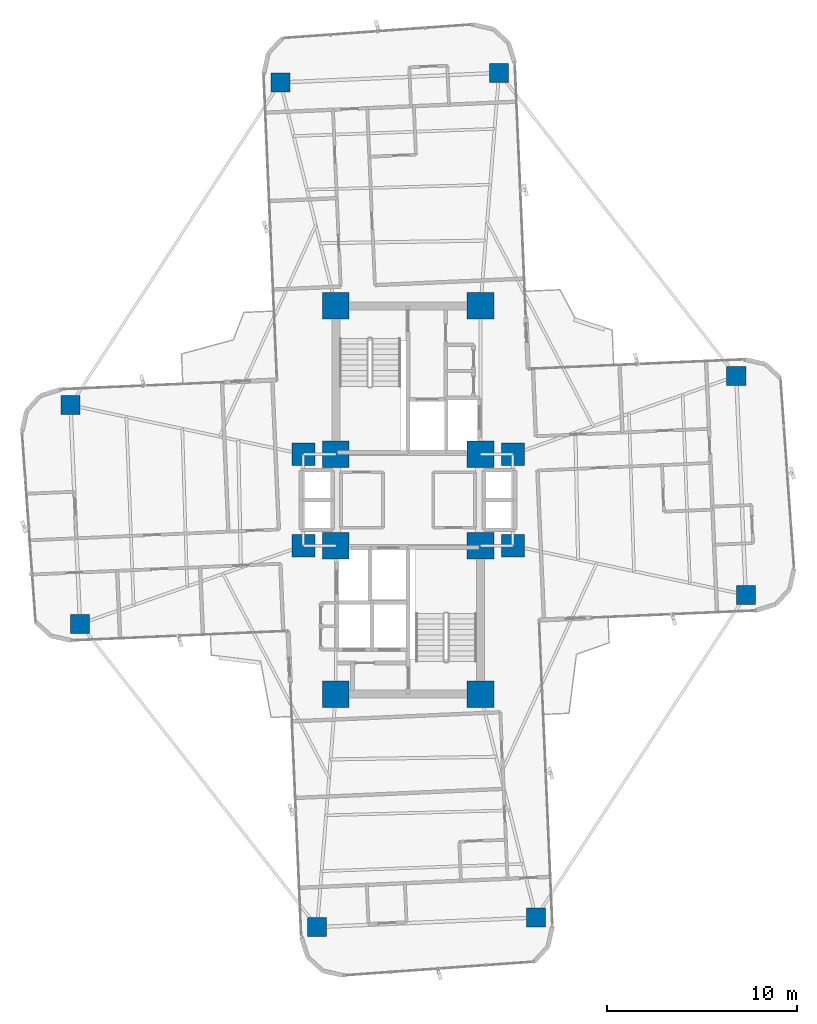
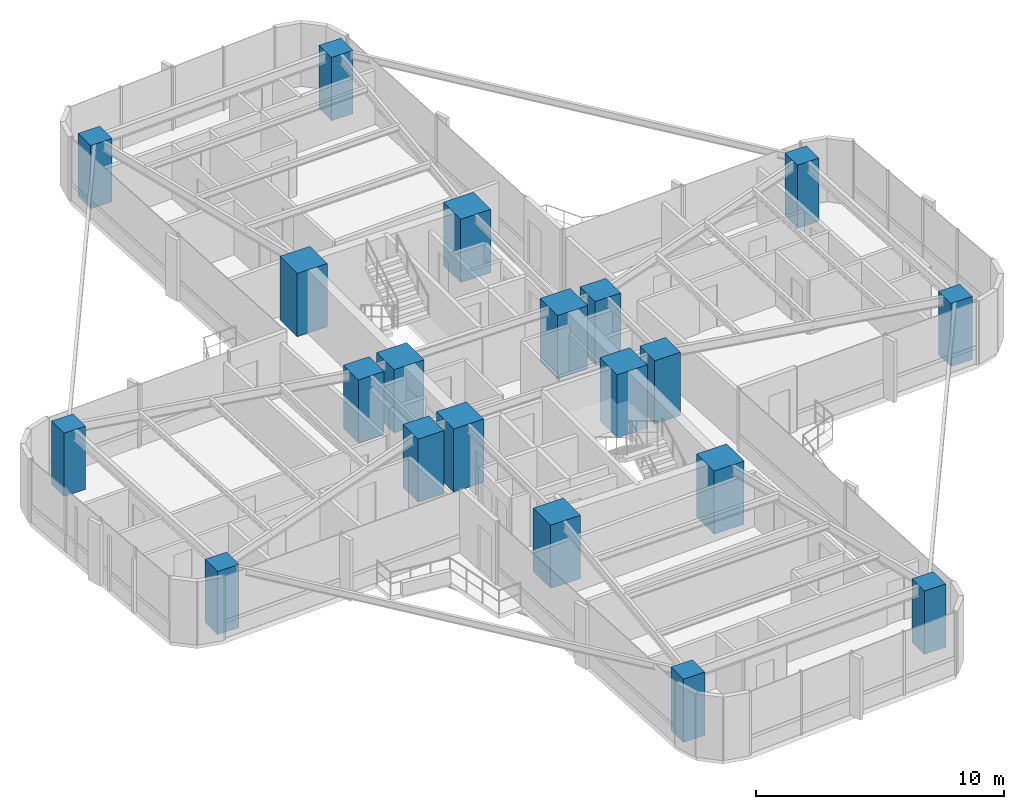
# One storey, part 1 of 27: 20 columns.
"""IFC4 building model written with IfcOpenShell, lengths in metres."""

from ifc_helpers import new_model, si_unit, direction, frame, origin, origin_2d, place, context, subcontext, project, spatial, rectangle, extrude, source, transform, mapped, material, material_profile, profile_set, type_object, element, save


model = new_model("IFC4")

# Units and contexts
model_context = context("Model", 3, precision=1e-05, world=origin(), true_north=direction((0.0, 1.0)))
body_context = subcontext(model_context, "Body", "Model", "MODEL_VIEW")
ifc_project = project(units=[si_unit("LENGTHUNIT", "METRE"), si_unit("AREAUNIT", "SQUARE_METRE"), si_unit("VOLUMEUNIT", "CUBIC_METRE"), si_unit("PLANEANGLEUNIT", "RADIAN"), si_unit("MASSUNIT", "GRAM", prefix="KILO")], contexts=[model_context])

# Site, building, storey
site_placement = place(None, origin())
site = spatial("IfcSite", under=ifc_project, at=site_placement, CompositionType="ELEMENT")
building_placement = place(site_placement, origin())
building = spatial("IfcBuilding", under=site, at=building_placement, Name="Sahyath Konkavel Grand Hotel", CompositionType="ELEMENT")
storey_placement = place(building_placement, frame((0.0, 0.0, 90.199951171875)))
storey = spatial("IfcBuildingStorey", under=building, at=storey_placement, Name="L24", CompositionType="ELEMENT", Elevation=90.199951171875)

# Columns
ifc_material_1 = material(Name="Concrete C70/85", Category="concrete")
ifc_material_profile_1 = material_profile(ifc_material_1, rectangle(XDim=1.39990234375, YDim=1.39990234375, at=origin_2d()), Name="RC 1400x1400")
ifc_profile_set_1 = profile_set([ifc_material_profile_1], Name="Concrete C70/85")
column_type_1 = type_object("IfcColumnType", Name="COL-RC1400", PredefinedType="COLUMN", material=ifc_profile_set_1)
shared_shape_1 = source(origin(), body_context, "Body", "SweptSolid", [
    extrude(rectangle(XDim=1.39990234375, YDim=1.39990234375, at=origin_2d()), origin(), (0.0, 0.0, 1.0), 3.110107421875),
])
for number, where, z_axis, x_axis, name in (
    (1, (-3.800048828125, 2.39990234375, 0.0), (0.0, 0.0, 1.0), (1.0, 0.0, 0.0), "L24 Core Boundary Column NC-SW"),
    (2, (3.800048828125, 2.39990234375, 0.0), (0.0, 0.0, 1.0), (1.0, 0.0, 0.0), "L24 Core Boundary Column NC-SE"),
    (3, (-3.800048828125, 10.199951171875, 0.0), (0.0, 0.0, 1.0), (1.0, 0.0, 0.0), "L24 Core Boundary Column NC-NW"),
    (4, (3.800048828125, 10.199951171875, 0.0), (0.0, 0.0, 1.0), (1.0, 0.0, 0.0), "L24 Core Boundary Column NC-NE"),
    (5, (-3.800048828125, -2.39990234375, 0.0), (0.0, 0.0, 1.0), (1.0, 0.0, 0.0), "L24 Core Boundary Column SC-NW"),
    (6, (3.800048828125, -2.39990234375, 0.0), (0.0, 0.0, 1.0), (1.0, 0.0, 0.0), "L24 Core Boundary Column SC-NE"),
    (7, (-3.800048828125, -10.199951171875, 0.0), (0.0, 0.0, 1.0), (1.0, 0.0, 0.0), "L24 Core Boundary Column SC-SW"),
    (8, (3.800048828125, -10.199951171875, 0.0), (0.0, 0.0, 1.0), (1.0, 0.0, 0.0), "L24 Core Boundary Column SC-SE"),
):
    element("IfcColumn", number, at=place(storey_placement, frame(where, z_axis=z_axis, x_axis=x_axis)), inside=storey, type_object=column_type_1, Name=name, PredefinedType="COLUMN", context=body_context, shape_type="MappedRepresentation", body=[
        mapped(shared_shape_1, transform((0.0, 0.0, 0.0), scale=1.0)),
    ])
ifc_material_2 = material(Name="Concrete C50/60", Category="concrete")
ifc_material_profile_2 = material_profile(ifc_material_2, rectangle(XDim=1.199951171875, YDim=1.199951171875, at=origin_2d()), Name="RC 1200x1200")
ifc_profile_set_2 = profile_set([ifc_material_profile_2], Name="Concrete C50/60")
column_type_2 = type_object("IfcColumnType", Name="COL-RC1200", PredefinedType="COLUMN", material=ifc_profile_set_2)
shared_shape_2 = source(origin(), body_context, "Body", "SweptSolid", [
    extrude(rectangle(XDim=1.199951171875, YDim=1.199951171875, at=origin_2d()), origin(), (0.0, 0.0, 1.0), 3.110107421875),
])
for number, where, z_axis, x_axis, name in (
    (9, (5.5, 2.39990234375, 0.0), (0.0, 0.0, 1.0), (1.0, 0.0, 0.0), "L24 Central Spine Column HB-NE"),
    (10, (-5.5, 2.39990234375, 0.0), (0.0, 0.0, 1.0), (1.0, 0.0, 0.0), "L24 Central Spine Column HB-NW"),
    (11, (5.5, -2.39990234375, 0.0), (0.0, 0.0, 1.0), (1.0, 0.0, 0.0), "L24 Central Spine Column HB-SE"),
    (12, (-5.5, -2.39990234375, 0.0), (0.0, 0.0, 1.0), (1.0, 0.0, 0.0), "L24 Central Spine Column HB-SW"),
):
    element("IfcColumn", number, at=place(storey_placement, frame(where, z_axis=z_axis, x_axis=x_axis)), inside=storey, type_object=column_type_2, Name=name, PredefinedType="COLUMN", context=body_context, shape_type="MappedRepresentation", body=[
        mapped(shared_shape_2, transform((0.0, 0.0, 0.0), scale=1.0)),
    ])
ifc_material_profile_3 = material_profile(ifc_material_2, rectangle(XDim=1.0, YDim=1.0, at=origin_2d()), Name="RC 1000x1000")
ifc_profile_set_3 = profile_set([ifc_material_profile_3], Name="Concrete C50/60")
column_type_3 = type_object("IfcColumnType", Name="COL-RC1000", PredefinedType="COLUMN", material=ifc_profile_set_3)
shared_shape_3 = source(origin(), body_context, "Body", "SweptSolid", [
    extrude(rectangle(XDim=1.0, YDim=1.0, at=origin_2d()), origin(), (0.0, 0.0, 1.0), 3.110107421875),
])
for number, where, z_axis, x_axis, name in (
    (13, (17.734130859375, -4.981201171875, 0.0), (0.0, 0.0, 1.0), (1.0, 0.0, 0.0), "L24 Cruciform Wing Column WC-EA"),
    (14, (17.232421875, 6.5078125, 0.0), (0.0, 0.0, 1.0), (1.0, 0.0, 0.0), "L24 Cruciform Wing Column WC-EB"),
    (15, (4.776123046875, 22.4296875, 0.0), (0.0, 0.0, 1.0), (1.0, 0.0, 0.0), "L24 Cruciform Wing Column WC-NA"),
    (16, (-6.712890625, 21.927978515625, 0.0), (0.0, 0.0, 1.0), (1.0, 0.0, 0.0), "L24 Cruciform Wing Column WC-NB"),
    (17, (-17.734130859375, 4.981201171875, 0.0), (0.0, 0.0, 1.0), (1.0, 0.0, 0.0), "L24 Cruciform Wing Column WC-WA"),
    (18, (-17.232421875, -6.5078125, 0.0), (0.0, 0.0, 1.0), (1.0, 0.0, 0.0), "L24 Cruciform Wing Column WC-WB"),
    (19, (-4.776123046875, -22.4296875, 0.0), (0.0, 0.0, 1.0), (1.0, 0.0, 0.0), "L24 Cruciform Wing Column WC-SA"),
    (20, (6.712890625, -21.927978515625, 0.0), (0.0, 0.0, 1.0), (1.0, 0.0, 0.0), "L24 Cruciform Wing Column WC-SB"),
):
    element("IfcColumn", number, at=place(storey_placement, frame(where, z_axis=z_axis, x_axis=x_axis)), inside=storey, type_object=column_type_3, Name=name, PredefinedType="COLUMN", context=body_context, shape_type="MappedRepresentation", body=[
        mapped(shared_shape_3, transform((0.0, 0.0, 0.0), scale=1.0)),
    ])

save(model, "model.ifc")
